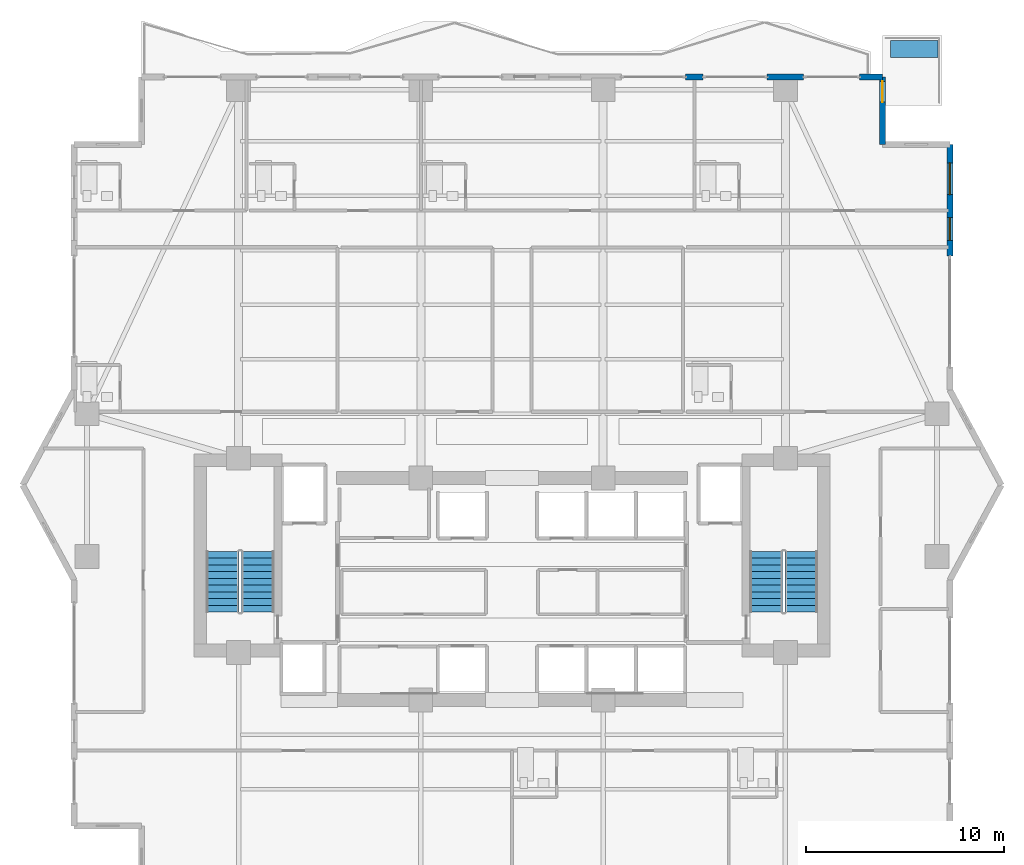
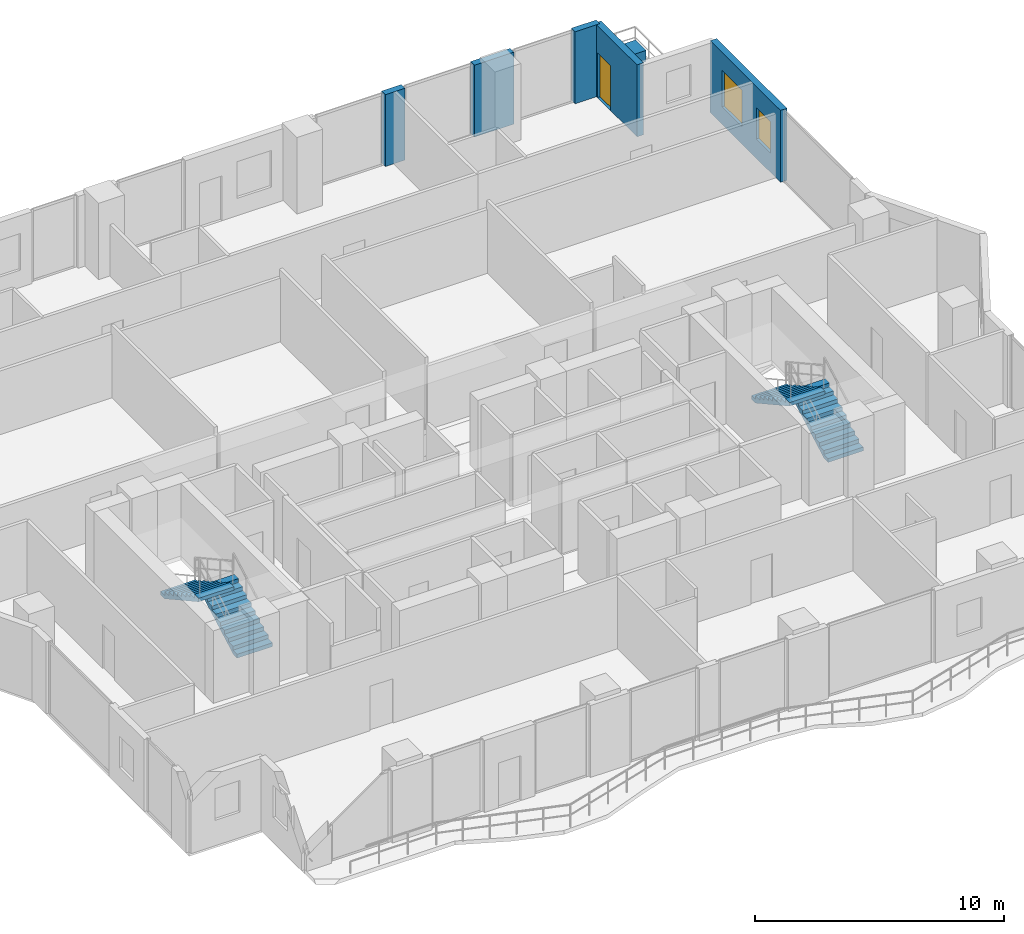
# One storey, part 29 of 33: 5 walls, 4 stair flights, 2 windows, 1 building element part, 1 door, 3 openings, 2 elements without a shape of their own.
"""IFC4 building model written with IfcOpenShell, lengths in metres."""

from ifc_helpers import new_model, si_unit, direction, frame, frame_2d, origin, origin_2d, place, context, subcontext, project, spatial, polyline, rectangle, outline, extrude, material, layer, layer_set, type_object, element, fill, aggregate, save


model = new_model("IFC4")

# Units and contexts
model_context = context("Model", 3, precision=1e-05, world=origin(), true_north=direction((0.0, 1.0)))
body_context = subcontext(model_context, "Body", "Model", "MODEL_VIEW")
ifc_project = project(units=[si_unit("LENGTHUNIT", "METRE"), si_unit("AREAUNIT", "SQUARE_METRE"), si_unit("VOLUMEUNIT", "CUBIC_METRE"), si_unit("PLANEANGLEUNIT", "RADIAN"), si_unit("MASSUNIT", "GRAM", prefix="KILO")], contexts=[model_context])

# Site, building, storey
site_placement = place(None, origin())
site = spatial("IfcSite", under=ifc_project, at=site_placement, CompositionType="ELEMENT")
building_placement = place(site_placement, origin())
building = spatial("IfcBuilding", under=site, at=building_placement, Name="Zuhayl Quay Hotel", CompositionType="ELEMENT")
storey_placement = place(building_placement, frame((0.0, 0.0, 214.89990234375)))
storey = spatial("IfcBuildingStorey", under=building, at=storey_placement, Name="L54", CompositionType="ELEMENT", Elevation=214.89990234375)

# Walls
ifc_material_1 = material(Name="Precast concrete C45/55", Category="concrete")
ifc_layer_1 = layer(ifc_material_1, 0.300048828125, Name="Precast concrete C45/55", Category="concrete")
ifc_layer_set_1 = layer_set([ifc_layer_1], Name="Precast concrete C45/55")
wall_type = type_object("IfcWallType", Name="WL_EXT_300", PredefinedType="STANDARD", material=ifc_layer_set_1)
wall_1_placement = place(storey_placement, frame((8.75, 33.60009765625, 0.0), z_axis=(0.0, 0.0, 1.0), x_axis=(1.0, 0.0, 0.0)))
element("IfcWall", 1, at=wall_1_placement, inside=storey, type_object=wall_type, Name="L54 Exterior Precast Wall ENV_L54_N_EW6", PredefinedType="STANDARD", context=body_context, shape_type="SweptSolid", body=[
    extrude(rectangle(XDim=0.89990234375, YDim=0.300048828125, at=frame_2d((0.449951171875, 0.0))), origin(), (0.0, 0.0, 1.0), 3.530029296875),
])
wall_2_placement = place(storey_placement, frame((12.8798828125, 33.60009765625, 0.0), z_axis=(0.0, 0.0, 1.0), x_axis=(1.0, 0.0, 0.0)))
element("IfcWall", 2, at=wall_2_placement, inside=storey, type_object=wall_type, Name="L54 Exterior Precast Wall ENV_L54_N_EW7", PredefinedType="STANDARD", context=body_context, shape_type="SweptSolid", body=[
    extrude(rectangle(XDim=1.840087890625, YDim=0.300048828125, at=frame_2d((0.919921875, 0.0))), origin(), (0.0, 0.0, 1.0), 3.530029296875),
])
wall_3_placement = place(storey_placement, frame((17.550048828125, 33.60009765625, 0.0), z_axis=(0.0, 0.0, 1.0), x_axis=(1.0, 0.0, 0.0)))
element("IfcWall", 3, at=wall_3_placement, inside=storey, type_object=wall_type, Name="L54 Exterior Precast Wall ENV_L54_N_EW8", PredefinedType="STANDARD", context=body_context, shape_type="SweptSolid", body=[
    extrude(rectangle(XDim=1.14990234375, YDim=0.300048828125, at=frame_2d((0.574951171875, 0.0))), origin(), (0.0, 0.0, 1.0), 3.530029296875),
])

# Wall, opening, door
wall_4_placement = place(storey_placement, frame((18.699951171875, 33.60009765625, 0.0), z_axis=(0.0, 0.0, 1.0), x_axis=(0.0, -1.0, 0.0)))
wall_4 = element("IfcWall", 4, at=wall_4_placement, inside=storey, type_object=wall_type, Name="L54 Exterior Precast Wall ENV_L54_SP_NE", PredefinedType="STANDARD", context=body_context, shape_type="SweptSolid", body=[
    extrude(rectangle(XDim=3.400146484375, YDim=0.300048828125, at=frame_2d((1.7001953125, 0.0))), origin(), (0.0, 0.0, 1.0), 3.530029296875),
])
opening_1_placement = place(wall_4_placement, frame((0.219970703125, 0.0, 0.0)))
opening_1 = element("IfcOpeningElement", 5, at=opening_1_placement, cuts=wall_4, Name="Opening DG1", PredefinedType="OPENING", context=body_context, shape_type="SweptSolid", body=[
    extrude(rectangle(XDim=1.050048828125, YDim=2.199951171875, at=frame_2d((0.52490234375, 1.10009765625))), frame((0.0, 0.159912109375, 0.0), z_axis=(0.0, -1.0, 0.0), x_axis=(1.0, 0.0, 0.0)), (0.0, 0.0, 1.0), 0.320068359375),
])
ifc_material_2 = material(Name="Anodised Aluminium and Dark Solar Glass", Category="aluminium")
door_type = type_object("IfcDoorType", Name="DR_EXT_TERR_1050", OperationType="NOTDEFINED", PredefinedType="DOOR", material=ifc_material_2)
door_placement = place(opening_1_placement, origin())
door = element("IfcDoor", 6, at=door_placement, inside=storey, type_object=door_type, Name="L54 Spiral Sky-Terrace NE Access Door", OperationType="SINGLE_SWING_LEFT", OverallHeight=2.199951171875, OverallWidth=1.050048828125, PredefinedType="DOOR", context=body_context, shape_type="SweptSolid", body=[
    extrude(rectangle(XDim=1.050048828125, YDim=2.199951171875, at=frame_2d((0.52490234375, 1.10009765625))), frame((0.0, 0.02490234375, 0.0), z_axis=(0.0, -1.0, 0.0), x_axis=(1.0, 0.0, 0.0)), (0.0, 0.0, 1.0), 0.050048828125),
])
fill(opening_1, door)

# Wall, openings, windows
wall_5_placement = place(storey_placement, frame((22.10009765625, 30.199951171875, 0.0), z_axis=(0.0, 0.0, 1.0), x_axis=(0.0, -1.0, 0.0)))
wall_5 = element("IfcWall", 7, at=wall_5_placement, inside=storey, type_object=wall_type, Name="L54 Exterior Precast Wall ENV_L54_E11_EW1", PredefinedType="STANDARD", context=body_context, shape_type="SweptSolid", body=[
    extrude(rectangle(XDim=5.64990234375, YDim=0.300048828125, at=frame_2d((2.824951171875, 0.0))), origin(), (0.0, 0.0, 1.0), 3.530029296875),
])
opening_2_placement = place(wall_5_placement, frame((0.93505859375, 0.0, 0.85009765625)))
opening_2 = element("IfcOpeningElement", 8, at=opening_2_placement, cuts=wall_5, Name="Opening W01", PredefinedType="OPENING", context=body_context, shape_type="SweptSolid", body=[
    extrude(rectangle(XDim=1.60009765625, YDim=1.800048828125, at=frame_2d((0.800048828125, 0.89990234375))), frame((0.0, 0.159912109375, 0.0), z_axis=(0.0, -1.0, 0.0), x_axis=(1.0, 0.0, 0.0)), (0.0, 0.0, 1.0), 0.320068359375),
])
opening_3_placement = place(wall_5_placement, frame((3.699951171875, 0.0, 0.949951171875)))
opening_3 = element("IfcOpeningElement", 9, at=opening_3_placement, cuts=wall_5, Name="Opening W01N", PredefinedType="OPENING", context=body_context, shape_type="SweptSolid", body=[
    extrude(rectangle(XDim=1.14990234375, YDim=1.550048828125, at=frame_2d((0.574951171875, 0.77490234375))), frame((0.0, 0.159912109375, 0.0), z_axis=(0.0, -1.0, 0.0), x_axis=(1.0, 0.0, 0.0)), (0.0, 0.0, 1.0), 0.320068359375),
])
ifc_material_3 = material(Name="Dark Ceramic-Fritted Solar Glass", Category="glass")
window_type_1 = type_object("IfcWindowType", Name="WN_NOTCH_1350", PartitioningType="SINGLE_PANEL", PredefinedType="WINDOW", material=ifc_material_3)
window_1_placement = place(opening_3_placement, origin())
window_1 = element("IfcWindow", 10, at=window_1_placement, inside=storey, type_object=window_type_1, Name="L54 Operable Facade Window 1-2", OverallHeight=1.550048828125, OverallWidth=1.14990234375, PartitioningType="SINGLE_PANEL", PredefinedType="WINDOW", context=body_context, shape_type="SweptSolid", body=[
    extrude(rectangle(XDim=1.14990234375, YDim=1.550048828125, at=frame_2d((0.574951171875, 0.77490234375))), frame((0.0, 0.030029296875, 0.0), z_axis=(0.0, -1.0, 0.0), x_axis=(1.0, 0.0, 0.0)), (0.0, 0.0, 1.0), 0.06005859375),
])
fill(opening_3, window_1)
window_type_2 = type_object("IfcWindowType", Name="WN_OPERABLE_1600", PartitioningType="DOUBLE_PANEL_VERTICAL", PredefinedType="WINDOW", material=ifc_material_3)
window_2_placement = place(opening_2_placement, origin())
window_2 = element("IfcWindow", 11, at=window_2_placement, inside=storey, type_object=window_type_2, Name="L54 Operable Facade Window 1-1", OverallHeight=1.800048828125, OverallWidth=1.60009765625, PartitioningType="SINGLE_PANEL", PredefinedType="WINDOW", context=body_context, shape_type="SweptSolid", body=[
    extrude(rectangle(XDim=1.60009765625, YDim=1.800048828125, at=frame_2d((0.800048828125, 0.89990234375))), frame((0.0, 0.030029296875, 0.0), z_axis=(0.0, -1.0, 0.0), x_axis=(1.0, 0.0, 0.0)), (0.0, 0.0, 1.0), 0.06005859375),
])
fill(opening_2, window_2)

# Stair, stair flights
ifc_material_4 = material(Name="Concrete C45/55", Category="concrete")
stair_type = type_object("IfcStairType", Name="ST_DOGLEG_TOWER", PredefinedType="HALF_TURN_STAIR", material=ifc_material_4)
stair_1_placement = place(storey_placement, origin())
stair_1 = element("IfcStair", 12, at=stair_1_placement, inside=storey, type_object=stair_type, Name="L54 Smokeproof Exit Stair ST1", PredefinedType="HALF_TURN_STAIR")
ifc_layer_2 = layer(ifc_material_4, 0.159912109375, Name="Concrete C45/55", Category="concrete")
ifc_layer_set_2 = layer_set([ifc_layer_2], Name="Concrete C45/55")
stair_flight_type = type_object("IfcStairFlightType", Name="SF_CONC_164", PredefinedType="STRAIGHT", material=ifc_layer_set_2)
stair_flight_1_placement = place(storey_placement, frame((-12.820068359375, 6.590087890625, 0.0), z_axis=(0.0, 0.0, 1.0), x_axis=(0.0, 1.0, 0.0)))
stair_flight_1 = element("IfcStairFlight", 13, at=stair_flight_1_placement, type_object=stair_flight_type, Name="ST1 flight 1", NumberOfRisers=10, NumberOfTreads=9, PredefinedType="STRAIGHT", RiserHeight=0.1875, TreadLength=0.34, context=body_context, shape_type="SweptSolid", body=[
    extrude(outline(polyline([(0.0, 0.0), (0.0, 0.1875), (0.340087890625, 0.1875), (0.340087890625, 0.375), (0.679931640625, 0.375), (0.679931640625, 0.5625), (1.02001953125, 0.5625), (1.02001953125, 0.75), (1.360107421875, 0.75), (1.360107421875, 0.9375), (1.699951171875, 0.9375), (1.699951171875, 1.125), (2.0400390625, 1.125), (2.0400390625, 1.3125), (2.3798828125, 1.3125), (2.3798828125, 1.5), (2.719970703125, 1.5), (2.719970703125, 1.6875), (3.06005859375, 1.6875), (3.06005859375, 1.875), (3.06005859375, 1.516357421875), (0.310302734375, 0.0), (0.0, 0.0)])), frame((0.0, 0.81982421875, 0.0), z_axis=(0.0, -1.0, 0.0), x_axis=(1.0, 0.0, 0.0)), (0.0, 0.0, 1.0), 1.639892578125),
])
stair_flight_2_placement = place(storey_placement, frame((-14.610107421875, 9.64990234375, 1.875), z_axis=(0.0, 0.0, 1.0), x_axis=(0.0, -1.0, 0.0)))
stair_flight_2 = element("IfcStairFlight", 14, at=stair_flight_2_placement, type_object=stair_flight_type, Name="ST1 flight 2", NumberOfRisers=10, NumberOfTreads=9, PredefinedType="STRAIGHT", RiserHeight=0.1875, TreadLength=0.34, context=body_context, shape_type="SweptSolid", body=[
    extrude(outline(polyline([(0.0, 0.0), (0.0, 0.1875), (0.340087890625, 0.1875), (0.340087890625, 0.375), (0.679931640625, 0.375), (0.679931640625, 0.5625), (1.02001953125, 0.5625), (1.02001953125, 0.75), (1.360107421875, 0.75), (1.360107421875, 0.9375), (1.699951171875, 0.9375), (1.699951171875, 1.125), (2.0400390625, 1.125), (2.0400390625, 1.3125), (2.3798828125, 1.3125), (2.3798828125, 1.5), (2.719970703125, 1.5), (2.719970703125, 1.6875), (3.06005859375, 1.6875), (3.06005859375, 1.875), (3.06005859375, 1.516357421875), (0.310302734375, 0.0), (0.0, 0.0)])), frame((0.0, 0.81982421875, 0.0), z_axis=(0.0, -1.0, 0.0), x_axis=(1.0, 0.0, 0.0)), (0.0, 0.0, 1.0), 1.639892578125),
])
aggregate(stair_1, [stair_flight_1, stair_flight_2])

stair_2_placement = place(storey_placement, origin())
stair_2 = element("IfcStair", 15, at=stair_2_placement, inside=storey, type_object=stair_type, Name="L54 Smokeproof Exit Stair ST2", PredefinedType="HALF_TURN_STAIR")
stair_flight_3_placement = place(storey_placement, frame((14.610107421875, 6.590087890625, 0.0), z_axis=(0.0, 0.0, 1.0), x_axis=(0.0, 1.0, 0.0)))
stair_flight_3 = element("IfcStairFlight", 16, at=stair_flight_3_placement, type_object=stair_flight_type, Name="ST2 flight 1", NumberOfRisers=10, NumberOfTreads=9, PredefinedType="STRAIGHT", RiserHeight=0.1875, TreadLength=0.34, context=body_context, shape_type="SweptSolid", body=[
    extrude(outline(polyline([(0.0, 0.0), (0.0, 0.1875), (0.340087890625, 0.1875), (0.340087890625, 0.375), (0.679931640625, 0.375), (0.679931640625, 0.5625), (1.02001953125, 0.5625), (1.02001953125, 0.75), (1.360107421875, 0.75), (1.360107421875, 0.9375), (1.699951171875, 0.9375), (1.699951171875, 1.125), (2.0400390625, 1.125), (2.0400390625, 1.3125), (2.3798828125, 1.3125), (2.3798828125, 1.5), (2.719970703125, 1.5), (2.719970703125, 1.6875), (3.06005859375, 1.6875), (3.06005859375, 1.875), (3.06005859375, 1.516357421875), (0.310302734375, 0.0), (0.0, 0.0)])), frame((0.0, 0.81982421875, 0.0), z_axis=(0.0, -1.0, 0.0), x_axis=(1.0, 0.0, 0.0)), (0.0, 0.0, 1.0), 1.639892578125),
])
stair_flight_4_placement = place(storey_placement, frame((12.820068359375, 9.64990234375, 1.875), z_axis=(0.0, 0.0, 1.0), x_axis=(0.0, -1.0, 0.0)))
stair_flight_4 = element("IfcStairFlight", 17, at=stair_flight_4_placement, type_object=stair_flight_type, Name="ST2 flight 2", NumberOfRisers=10, NumberOfTreads=9, PredefinedType="STRAIGHT", RiserHeight=0.1875, TreadLength=0.34, context=body_context, shape_type="SweptSolid", body=[
    extrude(outline(polyline([(0.0, 0.0), (0.0, 0.1875), (0.340087890625, 0.1875), (0.340087890625, 0.375), (0.679931640625, 0.375), (0.679931640625, 0.5625), (1.02001953125, 0.5625), (1.02001953125, 0.75), (1.360107421875, 0.75), (1.360107421875, 0.9375), (1.699951171875, 0.9375), (1.699951171875, 1.125), (2.0400390625, 1.125), (2.0400390625, 1.3125), (2.3798828125, 1.3125), (2.3798828125, 1.5), (2.719970703125, 1.5), (2.719970703125, 1.6875), (3.06005859375, 1.6875), (3.06005859375, 1.875), (3.06005859375, 1.516357421875), (0.310302734375, 0.0), (0.0, 0.0)])), frame((0.0, 0.81982421875, 0.0), z_axis=(0.0, -1.0, 0.0), x_axis=(1.0, 0.0, 0.0)), (0.0, 0.0, 1.0), 1.639892578125),
])
aggregate(stair_2, [stair_flight_3, stair_flight_4])

# Building element part
ifc_layer_3 = layer(ifc_material_1, 0.550048828125, Name="Precast concrete C45/55", Category="concrete")
ifc_layer_set_3 = layer_set([ifc_layer_3], Name="Precast concrete C45/55")
building_element_part_type = type_object("IfcBuildingElementPartType", Name="PT_PLANTER_KERB", PredefinedType="PRECASTPANEL", material=ifc_layer_set_3)
building_element_part_placement = place(storey_placement, frame((20.31005859375, 35.010009765625, 0.0), z_axis=(0.0, 0.0, 1.0), x_axis=(1.0, 0.0, 0.0)))
element("IfcBuildingElementPart", 18, at=building_element_part_placement, inside=storey, type_object=building_element_part_type, Name="L54 Spiral Sky-Terrace Planter Box NE", PredefinedType="PRECASTPANEL", context=body_context, shape_type="SweptSolid", body=[
    extrude(rectangle(XDim=2.39990234375, YDim=0.85009765625, at=origin_2d()), origin(), (0.0, 0.0, 1.0), 0.550048828125),
])

save(model, "model.ifc")
